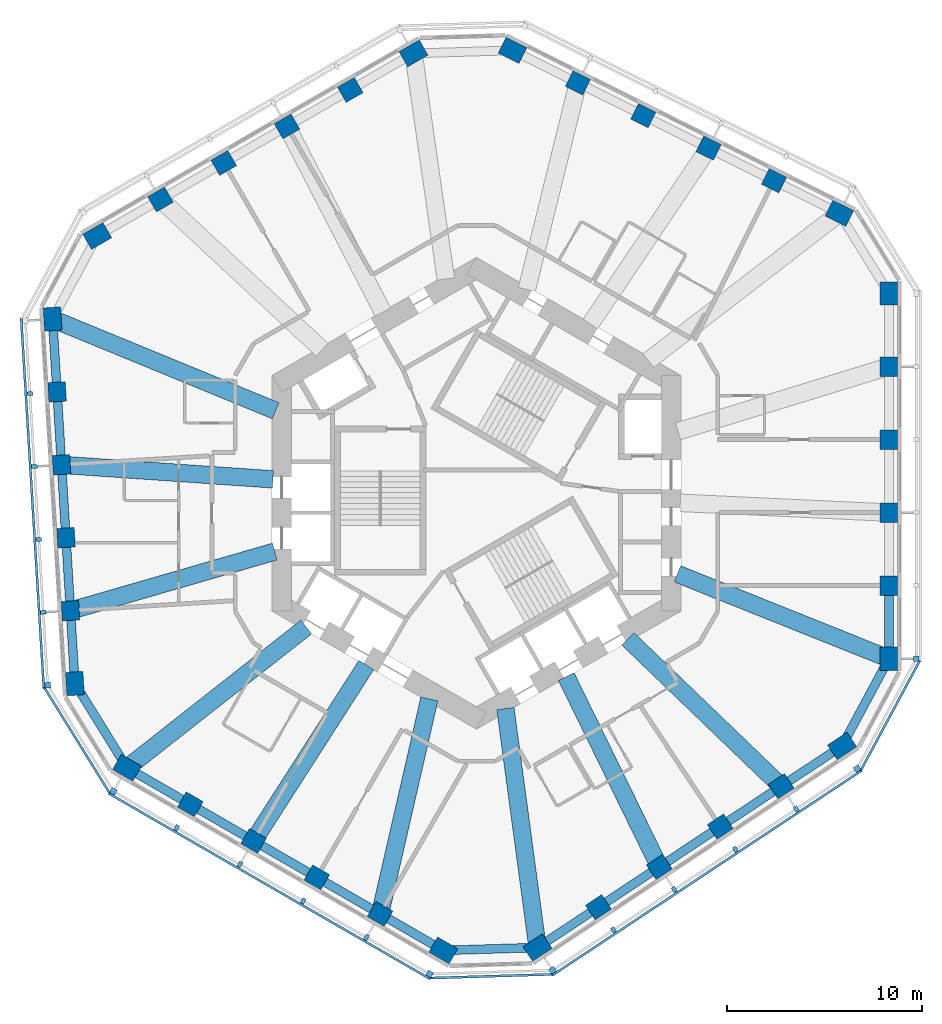
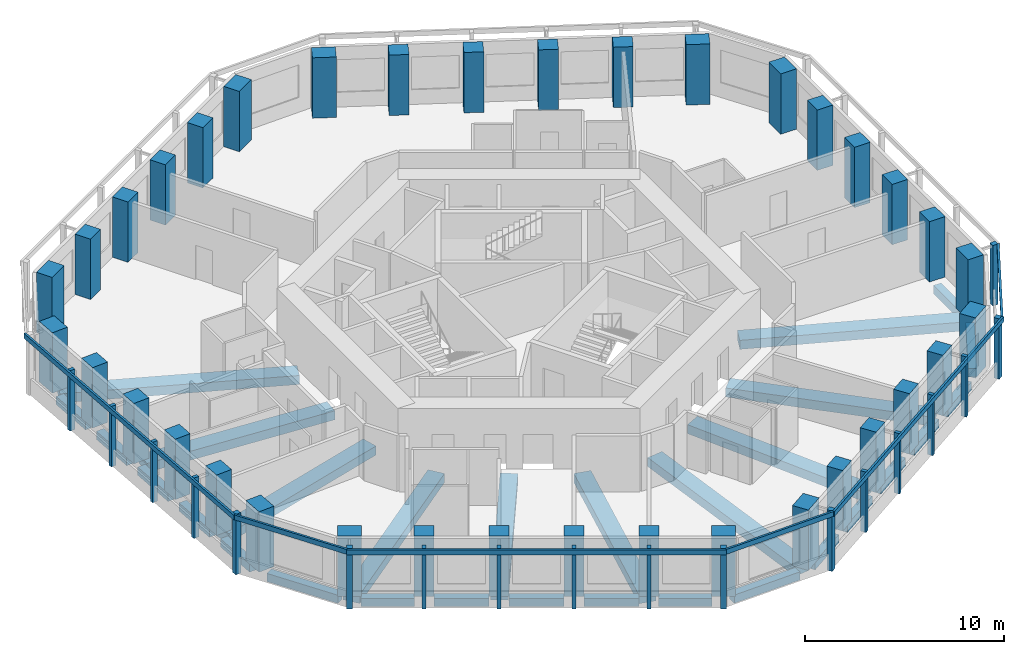
# One storey, part 1 of 11: 36 columns, 29 beams, 24 members, 7 elements without a shape of their own.
"""IFC4 building model written with IfcOpenShell, lengths in metres."""

from ifc_helpers import new_model, si_unit, direction, frame, origin, origin_2d, place, context, subcontext, project, spatial, rectangle, extrude, material, material_profile, profile_set, type_object, element, aggregate, save


model = new_model("IFC4")

# Units and contexts
model_context = context("Model", 3, precision=1e-05, world=origin(), true_north=direction((0.0, 1.0)))
body_context = subcontext(model_context, "Body", "Model", "MODEL_VIEW")
ifc_project = project(units=[si_unit("LENGTHUNIT", "METRE"), si_unit("AREAUNIT", "SQUARE_METRE"), si_unit("VOLUMEUNIT", "CUBIC_METRE"), si_unit("PLANEANGLEUNIT", "RADIAN"), si_unit("MASSUNIT", "GRAM", prefix="KILO")], contexts=[model_context])

# Site, building, storey
site_placement = place(None, origin())
site = spatial("IfcSite", under=ifc_project, at=site_placement, CompositionType="ELEMENT")
building_placement = place(site_placement, origin())
building = spatial("IfcBuilding", under=site, at=building_placement, Name="Vanh Sen Convention Tower", CompositionType="ELEMENT")
storey_placement = place(building_placement, frame((0.0, 0.0, 172.5)))
storey = spatial("IfcBuildingStorey", under=building, at=storey_placement, Name="L42", CompositionType="ELEMENT", Elevation=172.5)

# Columns
ifc_material_1 = material(Name="Concrete C80/95", Category="concrete")
ifc_material_profile_1 = material_profile(ifc_material_1, rectangle(XDim=1.0, YDim=0.89990234375, at=origin_2d()), Name="RC 1000X900")
ifc_profile_set_1 = profile_set([ifc_material_profile_1], Name="Concrete C80/95")
column_type_1 = type_object("IfcColumnType", Name="Facade column 1000 x 900 C80/95", PredefinedType="COLUMN", material=ifc_profile_set_1)
for number, where, z_axis, x_axis, name in (
    (1, (21.199951171875, -4.746826171875, 0.0), (0.0, 0.0, 1.0), (0.0, 1.0, 0.0), "Facade column 02 L42"),
    (2, (21.199951171875, -0.992919921875, 0.0), (0.0, 0.0, 1.0), (0.0, 1.0, 0.0), "Facade column 03 L42"),
    (3, (21.199951171875, 2.76123046875, 0.0), (0.0, 0.0, 1.0), (0.0, 1.0, 0.0), "Facade column 04 L42"),
    (4, (21.199951171875, 6.515380859375, 0.0), (0.0, 0.0, 1.0), (0.0, 1.0, 0.0), "Facade column 05 L42"),
    (5, (15.290283203125, 16.0654296875, 0.0), (0.0, 0.0, 1.0), (-0.894934361602, 0.44619781311, 0.0), "Facade column 08 L42"),
    (6, (11.9306640625, 17.740478515625, 0.0), (0.0, 0.0, 1.0), (-0.894934361602, 0.44619781311, 0.0), "Facade column 09 L42"),
    (7, (8.57080078125, 19.41552734375, 0.0), (0.0, 0.0, 1.0), (-0.894934361602, 0.44619781311, 0.0), "Facade column 10 L42"),
    (8, (5.211181640625, 21.0908203125, 0.0), (0.0, 0.0, 1.0), (-0.894934361602, 0.44619781311, 0.0), "Facade column 11 L42"),
    (9, (-6.489013671875, 20.733154296875, 0.0), (0.0, 0.0, 1.0), (-0.866025403784, -0.5, 0.0), "Facade column 14 L42"),
    (10, (-9.740234375, 18.856201171875, 0.0), (0.0, 0.0, 1.0), (-0.866025403784, -0.5, 0.0), "Facade column 15 L42"),
    (11, (-12.991455078125, 16.97900390625, 0.0), (0.0, 0.0, 1.0), (-0.866025403784, -0.5, 0.0), "Facade column 16 L42"),
    (12, (-16.242431640625, 15.10205078125, 0.0), (0.0, 0.0, 1.0), (-0.866025403784, -0.5, 0.0), "Facade column 17 L42"),
    (13, (-21.55810546875, 5.208984375, 0.0), (0.0, 0.0, 1.0), (0.061048539535, -0.998134798422, 0.0), "Facade column 20 L42"),
    (14, (-21.3291015625, 1.4619140625, 0.0), (0.0, 0.0, 1.0), (0.061048539535, -0.998134798422, 0.0), "Facade column 21 L42"),
    (15, (-21.099853515625, -2.28515625, 0.0), (0.0, 0.0, 1.0), (0.061048539535, -0.998134798422, 0.0), "Facade column 22 L42"),
    (16, (-20.87060546875, -6.0322265625, 0.0), (0.0, 0.0, 1.0), (0.061048539535, -0.998134798422, 0.0), "Facade column 23 L42"),
    (17, (-14.7109375, -15.986328125, 0.0), (0.0, 0.0, 1.0), (0.866025403784, -0.5, 0.0), "Facade column 26 L42"),
    (18, (-11.459716796875, -17.86328125, 0.0), (0.0, 0.0, 1.0), (0.866025403784, -0.5, 0.0), "Facade column 27 L42"),
    (19, (-8.20849609375, -19.740478515625, 0.0), (0.0, 0.0, 1.0), (0.866025403784, -0.5, 0.0), "Facade column 28 L42"),
    (20, (-4.95751953125, -21.617431640625, 0.0), (0.0, 0.0, 1.0), (0.866025403784, -0.5, 0.0), "Facade column 29 L42"),
    (21, (6.267822265625, -21.2744140625, 0.0), (0.0, 0.0, 1.0), (0.833885822067, 0.551936985312, 0.0), "Facade column 32 L42"),
    (22, (9.3984375, -19.202392578125, 0.0), (0.0, 0.0, 1.0), (0.833885822067, 0.551936985312, 0.0), "Facade column 33 L42"),
    (23, (12.52880859375, -17.13037109375, 0.0), (0.0, 0.0, 1.0), (0.833885822067, 0.551936985312, 0.0), "Facade column 34 L42"),
    (24, (15.659423828125, -15.058349609375, 0.0), (0.0, 0.0, 1.0), (0.833885822067, 0.551936985312, 0.0), "Facade column 35 L42"),
):
    element("IfcColumn", number, at=place(storey_placement, frame(where, z_axis=z_axis, x_axis=x_axis)), inside=storey, type_object=column_type_1, Name=name, PredefinedType="COLUMN", context=body_context, shape_type="SweptSolid", body=[
        extrude(rectangle(XDim=1.0, YDim=0.89990234375, at=origin_2d()), origin(), (0.0, 0.0, 1.0), 3.699951171875),
    ])
ifc_material_profile_2 = material_profile(ifc_material_1, rectangle(XDim=1.199951171875, YDim=0.89990234375, at=origin_2d()), Name="RC 1200X900")
ifc_profile_set_2 = profile_set([ifc_material_profile_2], Name="Concrete C80/95")
column_type_2 = type_object("IfcColumnType", Name="Facade corner column 1200 x 900 C80/95", PredefinedType="COLUMN", material=ifc_profile_set_2)
for number, where, z_axis, x_axis, name in (
    (25, (21.199951171875, -8.5009765625, 0.0), (0.0, 0.0, 1.0), (0.0, 1.0, 0.0), "Facade column 01 L42"),
    (26, (21.199951171875, 10.26953125, 0.0), (0.0, 0.0, 1.0), (0.0, 1.0, 0.0), "Facade column 06 L42"),
    (27, (18.64990234375, 14.390380859375, 0.0), (0.0, 0.0, 1.0), (-0.894934361602, 0.44619781311, 0.0), "Facade column 07 L42"),
    (28, (1.8515625, 22.765625, 0.0), (0.0, 0.0, 1.0), (-0.894934361602, 0.44619781311, 0.0), "Facade column 12 L42"),
    (29, (-3.23779296875, 22.610107421875, 0.0), (0.0, 0.0, 1.0), (-0.866025403784, -0.5, 0.0), "Facade column 13 L42"),
    (30, (-19.49365234375, 13.22509765625, 0.0), (0.0, 0.0, 1.0), (-0.866025403784, -0.5, 0.0), "Facade column 18 L42"),
    (31, (-21.787353515625, 8.956298828125, 0.0), (0.0, 0.0, 1.0), (0.061048539535, -0.998134798422, 0.0), "Facade column 19 L42"),
    (32, (-20.6416015625, -9.779296875, 0.0), (0.0, 0.0, 1.0), (0.061048539535, -0.998134798422, 0.0), "Facade column 24 L42"),
    (33, (-17.962158203125, -14.109130859375, 0.0), (0.0, 0.0, 1.0), (0.866025403784, -0.5, 0.0), "Facade column 25 L42"),
    (34, (-1.706298828125, -23.494384765625, 0.0), (0.0, 0.0, 1.0), (0.866025403784, -0.5, 0.0), "Facade column 30 L42"),
    (35, (3.137451171875, -23.346435546875, 0.0), (0.0, 0.0, 1.0), (0.833885822067, 0.551936985312, 0.0), "Facade column 31 L42"),
    (36, (18.789794921875, -12.986328125, 0.0), (0.0, 0.0, 1.0), (0.833885822067, 0.551936985312, 0.0), "Facade column 36 L42"),
):
    element("IfcColumn", number, at=place(storey_placement, frame(where, z_axis=z_axis, x_axis=x_axis)), inside=storey, type_object=column_type_2, Name=name, PredefinedType="COLUMN", context=body_context, shape_type="SweptSolid", body=[
        extrude(rectangle(XDim=1.199951171875, YDim=0.89990234375, at=origin_2d()), origin(), (0.0, 0.0, 1.0), 3.699951171875),
    ])

# Curtain wall, member
ifc_material_2 = material(Name="Concrete C50/60", Category="concrete")
curtain_wall_type = type_object("IfcCurtainWallType", Name="Outer skin office zone", PredefinedType="NOTDEFINED", material=ifc_material_2)
curtain_wall_1_placement = place(storey_placement, origin())
curtain_wall_1 = element("IfcCurtainWall", 37, at=curtain_wall_1_placement, inside=storey, type_object=curtain_wall_type, Name="OUTER SKIN E L42", PredefinedType="NOTDEFINED")
ifc_material_profile_3 = material_profile(ifc_material_2, rectangle(XDim=0.300048828125, YDim=0.300048828125, at=origin_2d()), Name="Outer skin precast corner fin 300 x 300")
ifc_profile_set_3 = profile_set([ifc_material_profile_3], Name="Concrete C50/60")
member_type_1 = type_object("IfcMemberType", Name="Outer skin precast corner fin 300 x 300", PredefinedType="MULLION", material=ifc_profile_set_3)
member_1_placement = place(storey_placement, frame((22.60009765625, -8.5009765625, 0.0), z_axis=(0.0, 0.0, 1.0), x_axis=(0.0, 1.0, 0.0)))
member_1 = element("IfcMember", 38, at=member_1_placement, type_object=member_type_1, Name="OUTER SKIN CORNER FIN 1 E L42", PredefinedType="MULLION", context=body_context, shape_type="SweptSolid", body=[
    extrude(rectangle(XDim=0.300048828125, YDim=0.300048828125, at=origin_2d()), origin(), (0.0, 0.0, 1.0), 3.699951171875),
])
aggregate(curtain_wall_1, [member_1])

curtain_wall_2_placement = place(storey_placement, origin())
curtain_wall_2 = element("IfcCurtainWall", 39, at=curtain_wall_2_placement, inside=storey, type_object=curtain_wall_type, Name="OUTER SKIN W L42", PredefinedType="NOTDEFINED")
member_2_placement = place(storey_placement, frame((-22.038818359375, -9.864990234375, 0.0), z_axis=(0.0, 0.0, 1.0), x_axis=(0.061048539535, -0.998134798422, 0.0)))
member_2 = element("IfcMember", 40, at=member_2_placement, type_object=member_type_1, Name="OUTER SKIN CORNER FIN 6 W L42", PredefinedType="MULLION", context=body_context, shape_type="SweptSolid", body=[
    extrude(rectangle(XDim=0.300048828125, YDim=0.300048828125, at=origin_2d()), origin(), (0.0, 0.0, 1.0), 3.699951171875),
])

# Curtain wall, members
curtain_wall_3_placement = place(storey_placement, origin())
curtain_wall_3 = element("IfcCurtainWall", 41, at=curtain_wall_3_placement, inside=storey, type_object=curtain_wall_type, Name="OUTER SKIN SW L42", PredefinedType="NOTDEFINED")
member_3_placement = place(storey_placement, frame((-18.662109375, -15.321533203125, 0.0), z_axis=(0.0, 0.0, 1.0), x_axis=(0.866025403784, -0.5, 0.0)))
member_3 = element("IfcMember", 42, at=member_3_placement, type_object=member_type_1, Name="OUTER SKIN CORNER FIN 1 SW L42", PredefinedType="MULLION", context=body_context, shape_type="SweptSolid", body=[
    extrude(rectangle(XDim=0.300048828125, YDim=0.300048828125, at=origin_2d()), origin(), (0.0, 0.0, 1.0), 3.699951171875),
])
member_4_placement = place(storey_placement, frame((-2.40625, -24.706787109375, 0.0), z_axis=(0.0, 0.0, 1.0), x_axis=(0.866025403784, -0.5, 0.0)))
member_4 = element("IfcMember", 43, at=member_4_placement, type_object=member_type_1, Name="OUTER SKIN CORNER FIN 6 SW L42", PredefinedType="MULLION", context=body_context, shape_type="SweptSolid", body=[
    extrude(rectangle(XDim=0.300048828125, YDim=0.300048828125, at=origin_2d()), origin(), (0.0, 0.0, 1.0), 3.699951171875),
])

curtain_wall_4_placement = place(storey_placement, origin())
curtain_wall_4 = element("IfcCurtainWall", 44, at=curtain_wall_4_placement, inside=storey, type_object=curtain_wall_type, Name="OUTER SKIN SE L42", PredefinedType="NOTDEFINED")
member_5_placement = place(storey_placement, frame((3.91015625, -24.513916015625, 0.0), z_axis=(0.0, 0.0, 1.0), x_axis=(0.833885822067, 0.551936985312, 0.0)))
member_5 = element("IfcMember", 45, at=member_5_placement, type_object=member_type_1, Name="OUTER SKIN CORNER FIN 1 SE L42", PredefinedType="MULLION", context=body_context, shape_type="SweptSolid", body=[
    extrude(rectangle(XDim=0.300048828125, YDim=0.300048828125, at=origin_2d()), origin(), (0.0, 0.0, 1.0), 3.699951171875),
])
member_6_placement = place(storey_placement, frame((19.5625, -14.15380859375, 0.0), z_axis=(0.0, 0.0, 1.0), x_axis=(0.833885822067, 0.551936985312, 0.0)))
member_6 = element("IfcMember", 46, at=member_6_placement, type_object=member_type_1, Name="OUTER SKIN CORNER FIN 6 SE L42", PredefinedType="MULLION", context=body_context, shape_type="SweptSolid", body=[
    extrude(rectangle(XDim=0.300048828125, YDim=0.300048828125, at=origin_2d()), origin(), (0.0, 0.0, 1.0), 3.699951171875),
])

# Member
ifc_material_profile_4 = material_profile(ifc_material_2, rectangle(XDim=0.199951171875, YDim=0.300048828125, at=origin_2d()), Name="Outer skin precast fin 200 x 300")
ifc_profile_set_4 = profile_set([ifc_material_profile_4], Name="Concrete C50/60")
member_type_2 = type_object("IfcMemberType", Name="Outer skin precast fin 200 x 300", PredefinedType="MULLION", material=ifc_profile_set_4)
member_7_placement = place(storey_placement, frame((-22.95556640625, 5.12353515625, 0.0), z_axis=(0.0, 0.0, 1.0), x_axis=(0.061048539535, -0.998134798422, 0.0)))
member_7 = element("IfcMember", 47, at=member_7_placement, type_object=member_type_2, Name="OUTER SKIN fin 2 W L42", PredefinedType="MULLION", context=body_context, shape_type="SweptSolid", body=[
    extrude(rectangle(XDim=0.199951171875, YDim=0.300048828125, at=origin_2d()), origin(), (0.0, 0.0, 1.0), 3.699951171875),
])

member_8_placement = place(storey_placement, frame((-22.726318359375, 1.37646484375, 0.0), z_axis=(0.0, 0.0, 1.0), x_axis=(0.061048539535, -0.998134798422, 0.0)))
member_8 = element("IfcMember", 48, at=member_8_placement, type_object=member_type_2, Name="OUTER SKIN fin 3 W L42", PredefinedType="MULLION", context=body_context, shape_type="SweptSolid", body=[
    extrude(rectangle(XDim=0.199951171875, YDim=0.300048828125, at=origin_2d()), origin(), (0.0, 0.0, 1.0), 3.699951171875),
])

member_9_placement = place(storey_placement, frame((-22.497314453125, -2.37060546875, 0.0), z_axis=(0.0, 0.0, 1.0), x_axis=(0.061048539535, -0.998134798422, 0.0)))
member_9 = element("IfcMember", 49, at=member_9_placement, type_object=member_type_2, Name="OUTER SKIN fin 4 W L42", PredefinedType="MULLION", context=body_context, shape_type="SweptSolid", body=[
    extrude(rectangle(XDim=0.199951171875, YDim=0.300048828125, at=origin_2d()), origin(), (0.0, 0.0, 1.0), 3.699951171875),
])

member_10_placement = place(storey_placement, frame((-22.26806640625, -6.117919921875, 0.0), z_axis=(0.0, 0.0, 1.0), x_axis=(0.061048539535, -0.998134798422, 0.0)))
member_10 = element("IfcMember", 50, at=member_10_placement, type_object=member_type_2, Name="OUTER SKIN fin 5 W L42", PredefinedType="MULLION", context=body_context, shape_type="SweptSolid", body=[
    extrude(rectangle(XDim=0.199951171875, YDim=0.300048828125, at=origin_2d()), origin(), (0.0, 0.0, 1.0), 3.699951171875),
])

member_11_placement = place(storey_placement, frame((-15.410888671875, -17.19873046875, 0.0), z_axis=(0.0, 0.0, 1.0), x_axis=(0.866025403784, -0.5, 0.0)))
member_11 = element("IfcMember", 51, at=member_11_placement, type_object=member_type_2, Name="OUTER SKIN fin 2 SW L42", PredefinedType="MULLION", context=body_context, shape_type="SweptSolid", body=[
    extrude(rectangle(XDim=0.199951171875, YDim=0.300048828125, at=origin_2d()), origin(), (0.0, 0.0, 1.0), 3.699951171875),
])

member_12_placement = place(storey_placement, frame((-12.159912109375, -19.07568359375, 0.0), z_axis=(0.0, 0.0, 1.0), x_axis=(0.866025403784, -0.5, 0.0)))
member_12 = element("IfcMember", 52, at=member_12_placement, type_object=member_type_2, Name="OUTER SKIN fin 3 SW L42", PredefinedType="MULLION", context=body_context, shape_type="SweptSolid", body=[
    extrude(rectangle(XDim=0.199951171875, YDim=0.300048828125, at=origin_2d()), origin(), (0.0, 0.0, 1.0), 3.699951171875),
])

member_13_placement = place(storey_placement, frame((-8.90869140625, -20.952880859375, 0.0), z_axis=(0.0, 0.0, 1.0), x_axis=(0.866025403784, -0.5, 0.0)))
member_13 = element("IfcMember", 53, at=member_13_placement, type_object=member_type_2, Name="OUTER SKIN fin 4 SW L42", PredefinedType="MULLION", context=body_context, shape_type="SweptSolid", body=[
    extrude(rectangle(XDim=0.199951171875, YDim=0.300048828125, at=origin_2d()), origin(), (0.0, 0.0, 1.0), 3.699951171875),
])

member_14_placement = place(storey_placement, frame((-5.657470703125, -22.829833984375, 0.0), z_axis=(0.0, 0.0, 1.0), x_axis=(0.866025403784, -0.5, 0.0)))
member_14 = element("IfcMember", 54, at=member_14_placement, type_object=member_type_2, Name="OUTER SKIN fin 5 SW L42", PredefinedType="MULLION", context=body_context, shape_type="SweptSolid", body=[
    extrude(rectangle(XDim=0.199951171875, YDim=0.300048828125, at=origin_2d()), origin(), (0.0, 0.0, 1.0), 3.699951171875),
])

member_15_placement = place(storey_placement, frame((7.04052734375, -22.44189453125, 0.0), z_axis=(0.0, 0.0, 1.0), x_axis=(0.833885822067, 0.551936985312, 0.0)))
member_15 = element("IfcMember", 55, at=member_15_placement, type_object=member_type_2, Name="OUTER SKIN fin 2 SE L42", PredefinedType="MULLION", context=body_context, shape_type="SweptSolid", body=[
    extrude(rectangle(XDim=0.199951171875, YDim=0.300048828125, at=origin_2d()), origin(), (0.0, 0.0, 1.0), 3.699951171875),
])

member_16_placement = place(storey_placement, frame((10.171142578125, -20.369873046875, 0.0), z_axis=(0.0, 0.0, 1.0), x_axis=(0.833885822067, 0.551936985312, 0.0)))
member_16 = element("IfcMember", 56, at=member_16_placement, type_object=member_type_2, Name="OUTER SKIN fin 3 SE L42", PredefinedType="MULLION", context=body_context, shape_type="SweptSolid", body=[
    extrude(rectangle(XDim=0.199951171875, YDim=0.300048828125, at=origin_2d()), origin(), (0.0, 0.0, 1.0), 3.699951171875),
])

member_17_placement = place(storey_placement, frame((13.301513671875, -18.2978515625, 0.0), z_axis=(0.0, 0.0, 1.0), x_axis=(0.833885822067, 0.551936985312, 0.0)))
member_17 = element("IfcMember", 57, at=member_17_placement, type_object=member_type_2, Name="OUTER SKIN fin 4 SE L42", PredefinedType="MULLION", context=body_context, shape_type="SweptSolid", body=[
    extrude(rectangle(XDim=0.199951171875, YDim=0.300048828125, at=origin_2d()), origin(), (0.0, 0.0, 1.0), 3.699951171875),
])

member_18_placement = place(storey_placement, frame((16.43212890625, -16.225830078125, 0.0), z_axis=(0.0, 0.0, 1.0), x_axis=(0.833885822067, 0.551936985312, 0.0)))
member_18 = element("IfcMember", 58, at=member_18_placement, type_object=member_type_2, Name="OUTER SKIN fin 5 SE L42", PredefinedType="MULLION", context=body_context, shape_type="SweptSolid", body=[
    extrude(rectangle(XDim=0.199951171875, YDim=0.300048828125, at=origin_2d()), origin(), (0.0, 0.0, 1.0), 3.699951171875),
])

ifc_material_profile_5 = material_profile(ifc_material_2, rectangle(XDim=0.1201171875, YDim=0.300048828125, at=origin_2d()), Name="Outer skin precast spandrel band 300 x 120")
ifc_profile_set_5 = profile_set([ifc_material_profile_5], Name="Concrete C50/60")
member_type_3 = type_object("IfcMemberType", Name="Outer skin precast spandrel band 300 x 120", PredefinedType="USERDEFINED", material=ifc_profile_set_5)
member_19_placement = place(storey_placement, frame((-23.403564453125, 9.007568359375, 3.550048828125), z_axis=(0.061052799403, -0.998134537868, 0.0), x_axis=(0.998134537868, 0.061052799403, 0.0)))
member_19 = element("IfcMember", 59, at=member_19_placement, type_object=member_type_3, Name="OUTER SKIN spandrel band W L42", ObjectType="TRANSOM", PredefinedType="USERDEFINED", context=body_context, shape_type="SweptSolid", body=[
    extrude(rectangle(XDim=0.1201171875, YDim=0.300048828125, at=origin_2d()), origin(), (0.0, 0.0, 1.0), 19.070556640625),
])

aggregate(curtain_wall_2, [member_7, member_8, member_9, member_10, member_2, member_19])

# Curtain wall, member
curtain_wall_5_placement = place(storey_placement, origin())
curtain_wall_5 = element("IfcCurtainWall", 60, at=curtain_wall_5_placement, inside=storey, type_object=curtain_wall_type, Name="OUTER SKIN CH4 L42", PredefinedType="NOTDEFINED")
member_20_placement = place(storey_placement, frame((-22.217529296875, -9.975341796875, 3.550048828125), z_axis=(0.526207913146, -0.85035594438, 0.0), x_axis=(0.85035594438, 0.526207913146, 0.0)))
member_20 = element("IfcMember", 61, at=member_20_placement, type_object=member_type_3, Name="OUTER SKIN spandrel band CH4 L42", ObjectType="TRANSOM", PredefinedType="USERDEFINED", context=body_context, shape_type="SweptSolid", body=[
    extrude(rectangle(XDim=0.1201171875, YDim=0.300048828125, at=origin_2d()), origin(), (0.0, 0.0, 1.0), 6.4169921875),
])
aggregate(curtain_wall_5, [member_20])

# Member
member_21_placement = place(storey_placement, frame((-18.89697265625, -15.428466796875, 3.550048828125), z_axis=(0.866023136587, -0.500003926881, 0.0), x_axis=(0.500003926881, 0.866023136587, 0.0)))
member_21 = element("IfcMember", 62, at=member_21_placement, type_object=member_type_3, Name="OUTER SKIN spandrel band SW L42", ObjectType="TRANSOM", PredefinedType="USERDEFINED", context=body_context, shape_type="SweptSolid", body=[
    extrude(rectangle(XDim=0.1201171875, YDim=0.300048828125, at=origin_2d()), origin(), (0.0, 0.0, 1.0), 19.070556640625),
])

aggregate(curtain_wall_3, [member_3, member_11, member_12, member_13, member_14, member_4, member_21])

# Curtain wall, member
curtain_wall_6_placement = place(storey_placement, origin())
curtain_wall_6 = element("IfcCurtainWall", 63, at=curtain_wall_6_placement, inside=storey, type_object=curtain_wall_type, Name="OUTER SKIN CH5 L42", PredefinedType="NOTDEFINED")
member_22_placement = place(storey_placement, frame((-2.39990234375, -24.916748046875, 3.550048828125), z_axis=(0.99953413443, 0.030520716071, 0.0), x_axis=(-0.030520716071, 0.99953413443, 0.0)))
member_22 = element("IfcMember", 64, at=member_22_placement, type_object=member_type_3, Name="OUTER SKIN spandrel band CH5 L42", ObjectType="TRANSOM", PredefinedType="USERDEFINED", context=body_context, shape_type="SweptSolid", body=[
    extrude(rectangle(XDim=0.1201171875, YDim=0.300048828125, at=origin_2d()), origin(), (0.0, 0.0, 1.0), 6.3193359375),
])
aggregate(curtain_wall_6, [member_22])

# Member
member_23_placement = place(storey_placement, frame((3.90087890625, -24.771728515625, 3.550048828125), z_axis=(0.833891134859, 0.551928958475, 0.0), x_axis=(-0.551928958475, 0.833891134859, 0.0)))
member_23 = element("IfcMember", 65, at=member_23_placement, type_object=member_type_3, Name="OUTER SKIN spandrel band SE L42", ObjectType="TRANSOM", PredefinedType="USERDEFINED", context=body_context, shape_type="SweptSolid", body=[
    extrude(rectangle(XDim=0.1201171875, YDim=0.300048828125, at=origin_2d()), origin(), (0.0, 0.0, 1.0), 19.070556640625),
])

aggregate(curtain_wall_4, [member_5, member_15, member_16, member_17, member_18, member_6, member_23])

# Curtain wall, member
curtain_wall_7_placement = place(storey_placement, origin())
curtain_wall_7 = element("IfcCurtainWall", 66, at=curtain_wall_7_placement, inside=storey, type_object=curtain_wall_type, Name="OUTER SKIN CH6 L42", PredefinedType="NOTDEFINED")
member_24_placement = place(storey_placement, frame((19.74755859375, -14.253173828125, 3.550048828125), z_axis=(0.473316922434, 0.880892213008, 0.0), x_axis=(-0.880892213008, 0.473316922434, 0.0)))
member_24 = element("IfcMember", 67, at=member_24_placement, type_object=member_type_3, Name="OUTER SKIN spandrel band CH6 L42", ObjectType="TRANSOM", PredefinedType="USERDEFINED", context=body_context, shape_type="SweptSolid", body=[
    extrude(rectangle(XDim=0.1201171875, YDim=0.300048828125, at=origin_2d()), origin(), (0.0, 0.0, 1.0), 6.417236328125),
])
aggregate(curtain_wall_7, [member_24])

# Beams
ifc_material_3 = material(Name="Concrete C50/60", Category="concrete")
ifc_material_profile_6 = material_profile(ifc_material_3, rectangle(XDim=0.89990234375, YDim=0.550048828125, at=origin_2d()), Name="RC 900X550")
ifc_profile_set_6 = profile_set([ifc_material_profile_6], Name="Concrete C50/60")
beam_type_1 = type_object("IfcBeamType", Name="Radial floor beam 900 x 550", PredefinedType="BEAM", material=ifc_profile_set_6)
beam_1_placement = place(storey_placement, frame((20.922119140625, -8.3896484375, -0.554931640625), z_axis=(-0.928156247891, 0.372190783739, 0.0), x_axis=(-0.372190783739, -0.928156247891, 0.0)))
element("IfcBeam", 68, at=beam_1_placement, inside=storey, type_object=beam_type_1, Name="Radial beam 01 L42", PredefinedType="BEAM", context=body_context, shape_type="SweptSolid", body=[
    extrude(rectangle(XDim=0.89990234375, YDim=0.550048828125, at=origin_2d()), origin(), (0.0, 0.0, 1.0), 11.414306640625),
])
beam_2_placement = place(storey_placement, frame((-21.53125, 8.850830078125, -0.554931640625), z_axis=(0.92490243395, -0.380204533998, 0.0), x_axis=(0.380204533998, 0.92490243395, 0.0)))
element("IfcBeam", 69, at=beam_2_placement, inside=storey, type_object=beam_type_1, Name="Radial beam 10 L42", PredefinedType="BEAM", context=body_context, shape_type="SweptSolid", body=[
    extrude(rectangle(XDim=0.89990234375, YDim=0.550048828125, at=origin_2d()), origin(), (0.0, 0.0, 1.0), 12.116943359375),
])
beam_3_placement = place(storey_placement, frame((-20.939697265625, 1.435302734375, -0.554931640625), z_axis=(0.997659241785, -0.068381556588, 0.0), x_axis=(0.068381556588, 0.997659241785, 0.0)))
element("IfcBeam", 70, at=beam_3_placement, inside=storey, type_object=beam_type_1, Name="Radial beam 11 L42", PredefinedType="BEAM", context=body_context, shape_type="SweptSolid", body=[
    extrude(rectangle(XDim=0.89990234375, YDim=0.550048828125, at=origin_2d()), origin(), (0.0, 0.0, 1.0), 10.500244140625),
])
beam_4_placement = place(storey_placement, frame((-20.60791015625, -5.956298828125, -0.554931640625), z_axis=(0.960679153389, 0.277660879932, 0.0), x_axis=(-0.277660879932, 0.960679153389, 0.0)))
element("IfcBeam", 71, at=beam_4_placement, inside=storey, type_object=beam_type_1, Name="Radial beam 12 L42", PredefinedType="BEAM", context=body_context, shape_type="SweptSolid", body=[
    extrude(rectangle(XDim=0.89990234375, YDim=0.550048828125, at=origin_2d()), origin(), (0.0, 0.0, 1.0), 10.65673828125),
])
beam_5_placement = place(storey_placement, frame((-17.726806640625, -13.92431640625, -0.554931640625), z_axis=(0.786405168583, 0.61771102534, 0.0), x_axis=(-0.61771102534, 0.786405168583, 0.0)))
element("IfcBeam", 72, at=beam_5_placement, inside=storey, type_object=beam_type_1, Name="Radial beam 13 L42", PredefinedType="BEAM", context=body_context, shape_type="SweptSolid", body=[
    extrude(rectangle(XDim=0.89990234375, YDim=0.550048828125, at=origin_2d()), origin(), (0.0, 0.0, 1.0), 11.414306640625),
])
beam_6_placement = place(storey_placement, frame((-11.230712890625, -17.506103515625, -0.554931640625), z_axis=(0.539962921318, 0.841688804489, 0.0), x_axis=(-0.841688804489, 0.539962921318, 0.0)))
element("IfcBeam", 73, at=beam_6_placement, inside=storey, type_object=beam_type_1, Name="Radial beam 14 L42", PredefinedType="BEAM", context=body_context, shape_type="SweptSolid", body=[
    extrude(rectangle(XDim=0.89990234375, YDim=0.550048828125, at=origin_2d()), origin(), (0.0, 0.0, 1.0), 10.3134765625),
])
beam_7_placement = place(storey_placement, frame((-4.905517578125, -21.390625, -0.554931640625), z_axis=(0.223529773199, 0.974697101921, 0.0), x_axis=(-0.974697101921, 0.223529773199, 0.0)))
element("IfcBeam", 74, at=beam_7_placement, inside=storey, type_object=beam_type_1, Name="Radial beam 15 L42", PredefinedType="BEAM", context=body_context, shape_type="SweptSolid", body=[
    extrude(rectangle(XDim=0.89990234375, YDim=0.550048828125, at=origin_2d()), origin(), (0.0, 0.0, 1.0), 11.1044921875),
])
beam_8_placement = place(storey_placement, frame((3.1005859375, -23.072021484375, -0.554931640625), z_axis=(-0.133182520442, 0.991091527685, 0.0), x_axis=(-0.991091527685, -0.133182520442, 0.0)))
element("IfcBeam", 75, at=beam_8_placement, inside=storey, type_object=beam_type_1, Name="Radial beam 16 L42", PredefinedType="BEAM", context=body_context, shape_type="SweptSolid", body=[
    extrude(rectangle(XDim=0.89990234375, YDim=0.550048828125, at=origin_2d()), origin(), (0.0, 0.0, 1.0), 12.116943359375),
])
beam_9_placement = place(storey_placement, frame((9.226806640625, -18.85205078125, -0.554931640625), z_axis=(-0.439589583386, 0.898198752047, 0.0), x_axis=(-0.898198752047, -0.439589583386, 0.0)))
element("IfcBeam", 76, at=beam_9_placement, inside=storey, type_object=beam_type_1, Name="Radial beam 17 L42", PredefinedType="BEAM", context=body_context, shape_type="SweptSolid", body=[
    extrude(rectangle(XDim=0.89990234375, YDim=0.550048828125, at=origin_2d()), origin(), (0.0, 0.0, 1.0), 10.5),
])
beam_10_placement = place(storey_placement, frame((15.462158203125, -14.868896484375, -0.554931640625), z_axis=(-0.720797844742, 0.693145343356, 0.0), x_axis=(-0.693145343356, -0.720797844742, 0.0)))
element("IfcBeam", 77, at=beam_10_placement, inside=storey, type_object=beam_type_1, Name="Radial beam 18 L42", PredefinedType="BEAM", context=body_context, shape_type="SweptSolid", body=[
    extrude(rectangle(XDim=0.89990234375, YDim=0.550048828125, at=origin_2d()), origin(), (0.0, 0.0, 1.0), 10.656494140625),
])
ifc_material_profile_7 = material_profile(ifc_material_3, rectangle(XDim=0.449951171875, YDim=0.5, at=origin_2d()), Name="RC 450X500")
ifc_profile_set_7 = profile_set([ifc_material_profile_7], Name="Concrete C50/60")
beam_type_2 = type_object("IfcBeamType", Name="Spandrel beam 450 x 500", PredefinedType="SPANDREL", material=ifc_profile_set_7)
for number, where, z_axis, x_axis, name in (
    (78, (21.199951171875, -7.906005859375, -0.530029296875), (0.0, 1.0, 0.0), (-1.0, 0.0, 0.0), "Spandrel beam 01 L42"),
    (79, (-21.751220703125, 8.3623046875, -0.530029296875), (0.061123105648, -0.998130234967, 0.0), (0.998130234967, 0.061123105648, 0.0), "Spandrel beam 19 L42"),
):
    element("IfcBeam", number, at=place(storey_placement, frame(where, z_axis=z_axis, x_axis=x_axis)), inside=storey, type_object=beam_type_2, Name=name, PredefinedType="SPANDREL", context=body_context, shape_type="SweptSolid", body=[
        extrude(rectangle(XDim=0.449951171875, YDim=0.5, at=origin_2d()), origin(), (0.0, 0.0, 1.0), 2.6640625),
    ])
for number, where, z_axis, x_axis, name in (
    (80, (-21.528076171875, 4.715087890625, -0.530029296875), (0.061113654492, -0.998130813689, 0.0), (0.998130813689, 0.061113654492, 0.0), "Spandrel beam 20 L42"),
    (81, (-21.298828125, 0.968017578125, -0.530029296875), (0.061113654492, -0.998130813689, 0.0), (0.998130813689, 0.061113654492, 0.0), "Spandrel beam 21 L42"),
):
    element("IfcBeam", number, at=place(storey_placement, frame(where, z_axis=z_axis, x_axis=x_axis)), inside=storey, type_object=beam_type_2, Name=name, PredefinedType="SPANDREL", context=body_context, shape_type="SweptSolid", body=[
        extrude(rectangle(XDim=0.449951171875, YDim=0.5, at=origin_2d()), origin(), (0.0, 0.0, 1.0), 2.764404296875),
    ])
beam_11_placement = place(storey_placement, frame((-21.069580078125, -2.779296875, -0.530029296875), z_axis=(0.061036429863, -0.998135539007, 0.0), x_axis=(0.998135539007, 0.061036429863, 0.0)))
element("IfcBeam", 82, at=beam_11_placement, inside=storey, type_object=beam_type_2, Name="Spandrel beam 22 L42", PredefinedType="SPANDREL", context=body_context, shape_type="SweptSolid", body=[
    extrude(rectangle(XDim=0.449951171875, YDim=0.5, at=origin_2d()), origin(), (0.0, 0.0, 1.0), 2.763916015625),
])
beam_12_placement = place(storey_placement, frame((-20.840576171875, -6.5263671875, -0.530029296875), z_axis=(0.061123105648, -0.998130234967, 0.0), x_axis=(0.998130234967, 0.061123105648, 0.0)))
element("IfcBeam", 83, at=beam_12_placement, inside=storey, type_object=beam_type_2, Name="Spandrel beam 23 L42", PredefinedType="SPANDREL", context=body_context, shape_type="SweptSolid", body=[
    extrude(rectangle(XDim=0.449951171875, YDim=0.5, at=origin_2d()), origin(), (0.0, 0.0, 1.0), 2.6640625),
])
beam_13_placement = place(storey_placement, frame((-20.3642578125, -10.2275390625, -0.530029296875), z_axis=(0.526210982295, -0.850354045156, 0.0), x_axis=(0.850354045156, 0.526210982295, 0.0)))
element("IfcBeam", 84, at=beam_13_placement, inside=storey, type_object=beam_type_2, Name="Spandrel beam 24 L42", PredefinedType="SPANDREL", context=body_context, shape_type="SweptSolid", body=[
    extrude(rectangle(XDim=0.449951171875, YDim=0.5, at=origin_2d()), origin(), (0.0, 0.0, 1.0), 4.037841796875),
])
beam_14_placement = place(storey_placement, frame((-17.44677734375, -14.40673828125, -0.530029296875), z_axis=(0.866023818221, -0.500002746266, 0.0), x_axis=(0.500002746266, 0.866023818221, 0.0)))
element("IfcBeam", 85, at=beam_14_placement, inside=storey, type_object=beam_type_2, Name="Spandrel beam 25 L42", PredefinedType="SPANDREL", context=body_context, shape_type="SweptSolid", body=[
    extrude(rectangle(XDim=0.449951171875, YDim=0.5, at=origin_2d()), origin(), (0.0, 0.0, 1.0), 2.6640625),
])
beam_15_placement = place(storey_placement, frame((-14.2822265625, -16.23388671875, -0.530029296875), z_axis=(0.866060565847, -0.499939092575, 0.0), x_axis=(0.499939092575, 0.866060565847, 0.0)))
element("IfcBeam", 86, at=beam_15_placement, inside=storey, type_object=beam_type_2, Name="Spandrel beam 26 L42", PredefinedType="SPANDREL", context=body_context, shape_type="SweptSolid", body=[
    extrude(rectangle(XDim=0.449951171875, YDim=0.5, at=origin_2d()), origin(), (0.0, 0.0, 1.0), 2.763916015625),
])
for number, where, z_axis, x_axis, name in (
    (87, (-11.031005859375, -18.11083984375, -0.530029296875), (0.866022320763, -0.500005339912, 0.0), (0.500005339912, 0.866022320763, 0.0), "Spandrel beam 27 L42"),
    (88, (-7.77978515625, -19.98779296875, -0.530029296875), (0.865961984968, -0.500109828528, 0.0), (0.500109828528, 0.865961984968, 0.0), "Spandrel beam 28 L42"),
):
    element("IfcBeam", number, at=place(storey_placement, frame(where, z_axis=z_axis, x_axis=x_axis)), inside=storey, type_object=beam_type_2, Name=name, PredefinedType="SPANDREL", context=body_context, shape_type="SweptSolid", body=[
        extrude(rectangle(XDim=0.449951171875, YDim=0.5, at=origin_2d()), origin(), (0.0, 0.0, 1.0), 2.76416015625),
    ])
beam_16_placement = place(storey_placement, frame((-4.52880859375, -21.864990234375, -0.530029296875), z_axis=(0.866023818221, -0.500002746266, 0.0), x_axis=(0.500002746266, 0.866023818221, 0.0)))
element("IfcBeam", 89, at=beam_16_placement, inside=storey, type_object=beam_type_2, Name="Spandrel beam 29 L42", PredefinedType="SPANDREL", context=body_context, shape_type="SweptSolid", body=[
    extrude(rectangle(XDim=0.449951171875, YDim=0.5, at=origin_2d()), origin(), (0.0, 0.0, 1.0), 2.6640625),
])
beam_17_placement = place(storey_placement, frame((-1.219970703125, -23.4794921875, -0.530029296875), z_axis=(0.999534445971, 0.030510511595, 0.0), x_axis=(-0.030510511595, 0.999534445971, 0.0)))
element("IfcBeam", 90, at=beam_17_placement, inside=storey, type_object=beam_type_2, Name="Spandrel beam 30 L42", PredefinedType="SPANDREL", context=body_context, shape_type="SweptSolid", body=[
    extrude(rectangle(XDim=0.449951171875, YDim=0.5, at=origin_2d()), origin(), (0.0, 0.0, 1.0), 3.872802734375),
])
beam_18_placement = place(storey_placement, frame((3.633544921875, -23.01806640625, -0.530029296875), z_axis=(0.833864593577, 0.551969056722, 0.0), x_axis=(-0.551969056722, 0.833864593577, 0.0)))
element("IfcBeam", 91, at=beam_18_placement, inside=storey, type_object=beam_type_2, Name="Spandrel beam 31 L42", PredefinedType="SPANDREL", context=body_context, shape_type="SweptSolid", body=[
    extrude(rectangle(XDim=0.449951171875, YDim=0.5, at=origin_2d()), origin(), (0.0, 0.0, 1.0), 2.6640625),
])
for number, where, z_axis, x_axis, name in (
    (92, (6.6806640625, -21.001220703125, -0.530029296875), (0.833880195108, 0.551945486625, 0.0), (-0.551945486625, 0.833880195108, 0.0), "Spandrel beam 32 L42"),
    (93, (9.811279296875, -18.92919921875, -0.530029296875), (0.833880195108, 0.551945486625, 0.0), (-0.551945486625, 0.833880195108, 0.0), "Spandrel beam 33 L42"),
    (94, (12.941650390625, -16.857177734375, -0.530029296875), (0.833880195108, 0.551945486625, 0.0), (-0.551945486625, 0.833880195108, 0.0), "Spandrel beam 34 L42"),
):
    element("IfcBeam", number, at=place(storey_placement, frame(where, z_axis=z_axis, x_axis=x_axis)), inside=storey, type_object=beam_type_2, Name=name, PredefinedType="SPANDREL", context=body_context, shape_type="SweptSolid", body=[
        extrude(rectangle(XDim=0.449951171875, YDim=0.5, at=origin_2d()), origin(), (0.0, 0.0, 1.0), 2.76416015625),
    ])
beam_19_placement = place(storey_placement, frame((16.072265625, -14.78515625, -0.530029296875), z_axis=(0.833864593577, 0.551969056722, 0.0), x_axis=(-0.551969056722, 0.833864593577, 0.0)))
element("IfcBeam", 95, at=beam_19_placement, inside=storey, type_object=beam_type_2, Name="Spandrel beam 35 L42", PredefinedType="SPANDREL", context=body_context, shape_type="SweptSolid", body=[
    extrude(rectangle(XDim=0.449951171875, YDim=0.5, at=origin_2d()), origin(), (0.0, 0.0, 1.0), 2.6640625),
])
beam_20_placement = place(storey_placement, frame((19.039306640625, -12.522216796875, -0.530029296875), z_axis=(0.473331705403, 0.880884269731, 0.0), x_axis=(-0.880884269731, 0.473331705403, 0.0)))
element("IfcBeam", 96, at=beam_20_placement, inside=storey, type_object=beam_type_2, Name="Spandrel beam 36 L42", PredefinedType="SPANDREL", context=body_context, shape_type="SweptSolid", body=[
    extrude(rectangle(XDim=0.449951171875, YDim=0.5, at=origin_2d()), origin(), (0.0, 0.0, 1.0), 4.0380859375),
])

save(model, "model.ifc")
